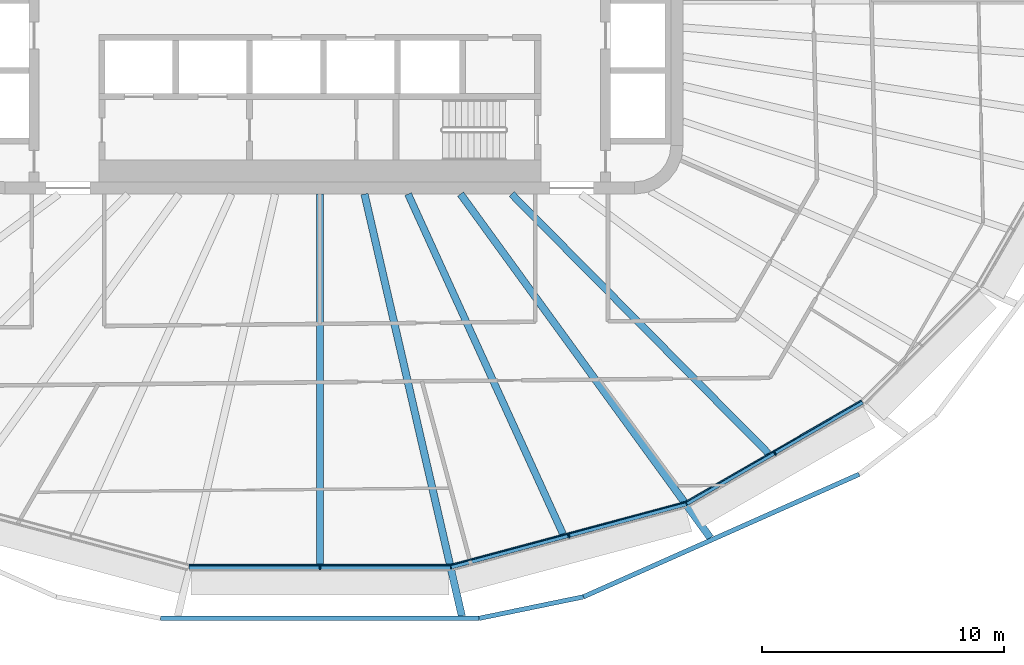
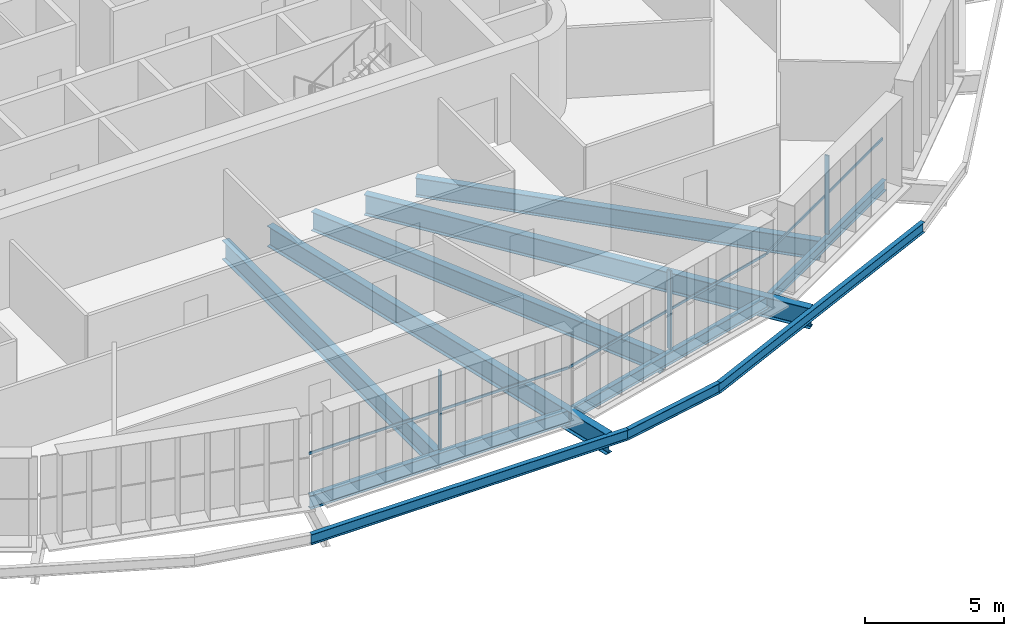
# One storey, part 3 of 23: 11 beams, 6 members, 3 elements without a shape of their own.
"""IFC4 building model written with IfcOpenShell, lengths in metres."""

from ifc_helpers import new_model, si_unit, direction, frame, origin, origin_2d, place, context, subcontext, project, spatial, rectangle, i_section, extrude, material, layer, layer_set, material_profile, profile_set, type_object, element, aggregate, save


model = new_model("IFC4")

# Units and contexts
model_context = context("Model", 3, precision=1e-05, world=origin(), true_north=direction((0.0, 1.0)))
body_context = subcontext(model_context, "Body", "Model", "MODEL_VIEW")
ifc_project = project(units=[si_unit("LENGTHUNIT", "METRE"), si_unit("AREAUNIT", "SQUARE_METRE"), si_unit("VOLUMEUNIT", "CUBIC_METRE"), si_unit("PLANEANGLEUNIT", "RADIAN"), si_unit("MASSUNIT", "GRAM", prefix="KILO")], contexts=[model_context])

# Site, building, storey
site_placement = place(None, origin())
site = spatial("IfcSite", under=ifc_project, at=site_placement, CompositionType="ELEMENT")
building_placement = place(site_placement, origin())
building = spatial("IfcBuilding", under=site, at=building_placement, Name="Sahrelin Media Tower", CompositionType="ELEMENT")
storey_placement = place(building_placement, frame((0.0, 0.0, 161.60009765625)))
storey = spatial("IfcBuildingStorey", under=building, at=storey_placement, Name="L33", CompositionType="ELEMENT", Elevation=161.60009765625)

# Beams
ifc_material_1 = material(Name="Steel S355", Category="steel")
ifc_material_profile_1 = material_profile(ifc_material_1, i_section(OverallWidth=0.1904296875, OverallDepth=0.45703125, WebThickness=0.009033203125, FlangeThickness=0.014404296875, FilletRadius=0.01025390625, at=origin_2d()), Name="UB 457x191x74")
ifc_profile_set_1 = profile_set([ifc_material_profile_1], Name="Steel S355")
beam_type_1 = type_object("IfcBeamType", Name="Edge beam EB5", PredefinedType="BEAM", material=ifc_profile_set_1)
beam_1_placement = place(storey_placement, frame((22.401123046875, -16.58203125, -0.378662109375), z_axis=(-0.866019985848, -0.500009384024, 0.0), x_axis=(0.500009384024, -0.866019985848, 0.0)))
element("IfcBeam", 1, at=beam_1_placement, inside=storey, type_object=beam_type_1, Name="Edge beam L33-05", PredefinedType="BEAM", context=body_context, shape_type="SweptSolid", body=[
    extrude(i_section(OverallWidth=0.1904296875, OverallDepth=0.45703125, WebThickness=0.009033203125, FlangeThickness=0.014404296875, FilletRadius=0.01025390625, at=origin_2d()), origin(), (0.0, 0.0, 1.0), 8.371826171875),
])
ifc_material_profile_2 = material_profile(ifc_material_1, i_section(OverallWidth=0.208740234375, OverallDepth=0.5283203125, WebThickness=0.009521484375, FlangeThickness=0.01318359375, FilletRadius=0.0126953125, at=origin_2d()), Name="UB 533x210x82")
ifc_profile_set_2 = profile_set([ifc_material_profile_2], Name="Steel S355")
beam_type_2 = type_object("IfcBeamType", Name="Edge beam EB6", PredefinedType="BEAM", material=ifc_profile_set_2)
beam_2_placement = place(storey_placement, frame((15.124267578125, -20.779052734375, -0.414306640625), z_axis=(-0.965924398273, -0.258824374473, 0.0), x_axis=(0.258824374473, -0.965924398273, 0.0)))
element("IfcBeam", 2, at=beam_2_placement, inside=storey, type_object=beam_type_2, Name="Edge beam L33-06", PredefinedType="BEAM", context=body_context, shape_type="SweptSolid", body=[
    extrude(i_section(OverallWidth=0.208740234375, OverallDepth=0.5283203125, WebThickness=0.009521484375, FlangeThickness=0.01318359375, FilletRadius=0.0126953125, at=origin_2d()), origin(), (0.0, 0.0, 1.0), 10.0439453125),
])
ifc_material_profile_3 = material_profile(ifc_material_1, i_section(OverallWidth=0.2275390625, OverallDepth=0.6025390625, WebThickness=0.010498046875, FlangeThickness=0.014892578125, FilletRadius=0.0126953125, at=origin_2d()), Name="UB 610x229x101")
ifc_profile_set_3 = profile_set([ifc_material_profile_3], Name="Steel S355")
beam_type_3 = type_object("IfcBeamType", Name="Edge beam EB7", PredefinedType="BEAM", material=ifc_profile_set_3)
beam_3_placement = place(storey_placement, frame((5.393798828125, -23.38232421875, -0.451416015625), z_axis=(-1.0, 0.0, 0.0), x_axis=(0.0, -1.0, 0.0)))
element("IfcBeam", 3, at=beam_3_placement, inside=storey, type_object=beam_type_3, Name="Edge beam L33-07", PredefinedType="BEAM", context=body_context, shape_type="SweptSolid", body=[
    extrude(i_section(OverallWidth=0.2275390625, OverallDepth=0.6025390625, WebThickness=0.010498046875, FlangeThickness=0.014892578125, FilletRadius=0.0126953125, at=origin_2d()), origin(), (0.0, 0.0, 1.0), 10.78759765625),
])

# Curtain wall, member
ifc_material_2 = material(Name="Champagne anodised aluminium 6063-T6", Category="aluminium")
ifc_layer = layer(ifc_material_2, 0.14990234375)
ifc_layer_set = layer_set([ifc_layer], Name="Tower ribbon curtain wall")
curtain_wall_type = type_object("IfcCurtainWallType", Name="Tower ribbon curtain wall", PredefinedType="NOTDEFINED", material=ifc_layer_set)
curtain_wall_1_placement = place(storey_placement, frame((0.0, -23.532470703125, 0.0), z_axis=(0.0, 0.0, 1.0), x_axis=(1.0, 0.0, 0.0)))
curtain_wall_1 = element("IfcCurtainWall", 4, at=curtain_wall_1_placement, inside=storey, type_object=curtain_wall_type, Name="L33:CW:L33-18", PredefinedType="NOTDEFINED")
ifc_material_profile_4 = material_profile(ifc_material_2, rectangle(XDim=0.06005859375, YDim=0.175048828125, at=origin_2d()), Name="Mullion 60x175")
ifc_profile_set_4 = profile_set([ifc_material_profile_4], Name="Champagne anodised aluminium 6063-T6")
member_type_1 = type_object("IfcMemberType", Name="Mullion 60x175 CW1B", PredefinedType="MULLION", material=ifc_profile_set_4)
member_1_placement = place(storey_placement, frame((0.0, -23.4248046875, 0.0), z_axis=(0.0, 0.0, 1.0), x_axis=(1.0, 0.0, 0.0)))
member_1 = element("IfcMember", 5, at=member_1_placement, type_object=member_type_1, Name="L33:CWM:L33-18", PredefinedType="MULLION", context=body_context, shape_type="SweptSolid", body=[
    extrude(rectangle(XDim=0.06005859375, YDim=0.175048828125, at=origin_2d()), origin(), (0.0, 0.0, 1.0), 3.448486328125),
])

curtain_wall_2_placement = place(storey_placement, frame((10.312255859375, -22.2236328125, 0.0), z_axis=(0.0, 0.0, 1.0), x_axis=(1.0, 0.0, 0.0)))
curtain_wall_2 = element("IfcCurtainWall", 6, at=curtain_wall_2_placement, inside=storey, type_object=curtain_wall_type, Name="L33:CW:L33-19", PredefinedType="NOTDEFINED")
member_2_placement = place(storey_placement, frame((10.284423828125, -22.119873046875, 0.0), z_axis=(0.0, 0.0, 1.0), x_axis=(0.965926729732, 0.258815673384, 0.0)))
member_2 = element("IfcMember", 7, at=member_2_placement, type_object=member_type_1, Name="L33:CWM:L33-19", PredefinedType="MULLION", context=body_context, shape_type="SweptSolid", body=[
    extrude(rectangle(XDim=0.06005859375, YDim=0.175048828125, at=origin_2d()), origin(), (0.0, 0.0, 1.0), 3.448486328125),
])

curtain_wall_3_placement = place(storey_placement, frame((18.85107421875, -18.804931640625, 0.0), z_axis=(0.0, 0.0, 1.0), x_axis=(1.0, 0.0, 0.0)))
curtain_wall_3 = element("IfcCurtainWall", 8, at=curtain_wall_3_placement, inside=storey, type_object=curtain_wall_type, Name="L33:CW:L33-20", PredefinedType="NOTDEFINED")
member_3_placement = place(storey_placement, frame((18.797119140625, -18.7119140625, 0.0), z_axis=(0.0, 0.0, 1.0), x_axis=(0.866025403784, 0.5, 0.0)))
member_3 = element("IfcMember", 9, at=member_3_placement, type_object=member_type_1, Name="L33:CWM:L33-20", PredefinedType="MULLION", context=body_context, shape_type="SweptSolid", body=[
    extrude(rectangle(XDim=0.06005859375, YDim=0.175048828125, at=origin_2d()), origin(), (0.0, 0.0, 1.0), 3.448486328125),
])

# Beams
ifc_material_profile_5 = material_profile(ifc_material_1, i_section(OverallWidth=0.30322265625, OverallDepth=0.903076171875, WebThickness=0.01513671875, FlangeThickness=0.020263671875, FilletRadius=0.01904296875, at=origin_2d()), Name="UB 914x305x201")
ifc_profile_set_5 = profile_set([ifc_material_profile_5], Name="Steel S355")
beam_type_4 = type_object("IfcBeamType", Name="Radial primary beam PB11", PredefinedType="BEAM", material=ifc_profile_set_5)
beam_4_placement = place(storey_placement, frame((1.845458984375, -8.0, -0.6015625), z_axis=(0.224765776998, -0.974412820878, 0.0), x_axis=(0.974412820878, 0.224765776998, 0.0)))
element("IfcBeam", 10, at=beam_4_placement, inside=storey, type_object=beam_type_4, Name="Radial beam L33-19", PredefinedType="BEAM", context=body_context, shape_type="SweptSolid", body=[
    extrude(i_section(OverallWidth=0.30322265625, OverallDepth=0.903076171875, WebThickness=0.01513671875, FlangeThickness=0.020263671875, FilletRadius=0.01904296875, at=origin_2d()), origin(), (0.0, 0.0, 1.0), 17.882080078125),
])
beam_5_placement = place(storey_placement, frame((5.8125, -8.0, -0.6015625), z_axis=(0.587799384359, -0.809006726639, 0.0), x_axis=(0.809006726639, 0.587799384359, 0.0)))
element("IfcBeam", 11, at=beam_5_placement, inside=storey, type_object=beam_type_4, Name="Radial beam L33-20", PredefinedType="BEAM", context=body_context, shape_type="SweptSolid", body=[
    extrude(i_section(OverallWidth=0.30322265625, OverallDepth=0.903076171875, WebThickness=0.01513671875, FlangeThickness=0.020263671875, FilletRadius=0.01904296875, at=origin_2d()), origin(), (0.0, 0.0, 1.0), 17.54833984375),
])
ifc_material_profile_6 = material_profile(ifc_material_1, i_section(OverallWidth=0.291748046875, OverallDepth=0.8349609375, WebThickness=0.013916015625, FlangeThickness=0.018798828125, FilletRadius=0.017822265625, at=origin_2d()), Name="UB 838x292x176")
ifc_profile_set_6 = profile_set([ifc_material_profile_6], Name="Steel S355")
beam_type_5 = type_object("IfcBeamType", Name="Radial secondary beam SB10", PredefinedType="BEAM", material=ifc_profile_set_6)
beam_6_placement = place(storey_placement, frame((0.0, -8.0, -0.567626953125), z_axis=(0.0, -1.0, 0.0), x_axis=(1.0, 0.0, 0.0)))
element("IfcBeam", 12, at=beam_6_placement, inside=storey, type_object=beam_type_5, Name="Secondary beam L33-18", PredefinedType="BEAM", context=body_context, shape_type="SweptSolid", body=[
    extrude(i_section(OverallWidth=0.291748046875, OverallDepth=0.8349609375, WebThickness=0.013916015625, FlangeThickness=0.018798828125, FilletRadius=0.017822265625, at=origin_2d()), origin(), (0.0, 0.0, 1.0), 15.2685546875),
])
beam_7_placement = place(storey_placement, frame((3.64501953125, -8.0, -0.567626953125), z_axis=(0.414613847662, -0.909997449077, 0.0), x_axis=(0.909997449077, 0.414613847662, 0.0)))
element("IfcBeam", 13, at=beam_7_placement, inside=storey, type_object=beam_type_5, Name="Secondary beam L33-19", PredefinedType="BEAM", context=body_context, shape_type="SweptSolid", body=[
    extrude(i_section(OverallWidth=0.291748046875, OverallDepth=0.8349609375, WebThickness=0.013916015625, FlangeThickness=0.018798828125, FilletRadius=0.017822265625, at=origin_2d()), origin(), (0.0, 0.0, 1.0), 15.421630859375),
])
beam_8_placement = place(storey_placement, frame((7.921142578125, -8.0, -0.567626953125), z_axis=(0.703599162107, -0.710597086317, 0.0), x_axis=(0.710597086317, 0.703599162107, 0.0)))
element("IfcBeam", 14, at=beam_8_placement, inside=storey, type_object=beam_type_5, Name="Secondary beam L33-20", PredefinedType="BEAM", context=body_context, shape_type="SweptSolid", body=[
    extrude(i_section(OverallWidth=0.291748046875, OverallDepth=0.8349609375, WebThickness=0.013916015625, FlangeThickness=0.018798828125, FilletRadius=0.017822265625, at=origin_2d()), origin(), (0.0, 0.0, 1.0), 15.071533203125),
])
ifc_material_profile_7 = material_profile(ifc_material_1, i_section(OverallWidth=0.1904296875, OverallDepth=0.45703125, WebThickness=0.009033203125, FlangeThickness=0.014404296875, FilletRadius=0.01025390625, at=origin_2d()), Name="UB 457x191x74")
ifc_profile_set_7 = profile_set([ifc_material_profile_7], Name="Steel S355")
beam_type_6 = type_object("IfcBeamType", Name="Tie chord TC5", PredefinedType="BEAM", material=ifc_profile_set_7)
beam_9_placement = place(storey_placement, frame((-6.576171875, -25.519775390625, -0.378662109375), z_axis=(1.0, 0.0, 0.0), x_axis=(0.0, 1.0, 0.0)))
element("IfcBeam", 15, at=beam_9_placement, inside=storey, type_object=beam_type_6, Name="Tie chord L33-18", PredefinedType="BEAM", context=body_context, shape_type="SweptSolid", body=[
    extrude(i_section(OverallWidth=0.1904296875, OverallDepth=0.45703125, WebThickness=0.009033203125, FlangeThickness=0.014404296875, FilletRadius=0.01025390625, at=origin_2d()), origin(), (0.0, 0.0, 1.0), 13.15234375),
])
beam_10_placement = place(storey_placement, frame((6.576171875, -25.519775390625, -0.378662109375), z_axis=(0.979388611009, 0.201985020796, 0.0), x_axis=(-0.201985020796, 0.979388611009, 0.0)))
element("IfcBeam", 16, at=beam_10_placement, inside=storey, type_object=beam_type_6, Name="Tie chord L33-19", PredefinedType="BEAM", context=body_context, shape_type="SweptSolid", body=[
    extrude(i_section(OverallWidth=0.1904296875, OverallDepth=0.45703125, WebThickness=0.009033203125, FlangeThickness=0.014404296875, FilletRadius=0.01025390625, at=origin_2d()), origin(), (0.0, 0.0, 1.0), 4.397216796875),
])
beam_11_placement = place(storey_placement, frame((10.8828125, -24.631591796875, -0.378662109375), z_axis=(0.913823664299, 0.40611120468, 0.0), x_axis=(-0.40611120468, 0.913823664299, 0.0)))
element("IfcBeam", 17, at=beam_11_placement, inside=storey, type_object=beam_type_6, Name="Tie chord L33-20", PredefinedType="BEAM", context=body_context, shape_type="SweptSolid", body=[
    extrude(i_section(OverallWidth=0.1904296875, OverallDepth=0.45703125, WebThickness=0.009033203125, FlangeThickness=0.014404296875, FilletRadius=0.01025390625, at=origin_2d()), origin(), (0.0, 0.0, 1.0), 12.464111328125),
])

# Member
ifc_material_profile_8 = material_profile(ifc_material_2, rectangle(XDim=0.050048828125, YDim=0.110107421875, at=origin_2d()), Name="Transom 50x110")
ifc_profile_set_8 = profile_set([ifc_material_profile_8], Name="Champagne anodised aluminium 6063-T6")
member_type_2 = type_object("IfcMemberType", Name="Transom 50x110 CW1B", PredefinedType="USERDEFINED", material=ifc_profile_set_8)
member_4_placement = place(storey_placement, frame((-5.378173828125, -23.3125, 1.599853515625), z_axis=(1.0, 0.0, 0.0), x_axis=(0.0, 1.0, 0.0)))
member_4 = element("IfcMember", 18, at=member_4_placement, type_object=member_type_2, Name="L33:CWT:L33-18", ObjectType="TRANSOM", PredefinedType="USERDEFINED", context=body_context, shape_type="SweptSolid", body=[
    extrude(rectangle(XDim=0.050048828125, YDim=0.110107421875, at=origin_2d()), origin(), (0.0, 0.0, 1.0), 10.75634765625),
])

aggregate(curtain_wall_1, [member_1, member_4])

member_5_placement = place(storey_placement, frame((5.419677734375, -23.306884765625, 1.599853515625), z_axis=(0.965929113775, 0.258806775726, 0.0), x_axis=(-0.258806775726, 0.965929113775, 0.0)))
member_5 = element("IfcMember", 19, at=member_5_placement, type_object=member_type_2, Name="L33:CWT:L33-19", ObjectType="TRANSOM", PredefinedType="USERDEFINED", context=body_context, shape_type="SweptSolid", body=[
    extrude(rectangle(XDim=0.050048828125, YDim=0.110107421875, at=origin_2d()), origin(), (0.0, 0.0, 1.0), 10.012451171875),
])

aggregate(curtain_wall_2, [member_2, member_5])

member_6_placement = place(storey_placement, frame((15.12939453125, -20.69970703125, 1.599853515625), z_axis=(0.866018876994, 0.500011304563, 0.0), x_axis=(-0.500011304563, 0.866018876994, 0.0)))
member_6 = element("IfcMember", 20, at=member_6_placement, type_object=member_type_2, Name="L33:CWT:L33-20", ObjectType="TRANSOM", PredefinedType="USERDEFINED", context=body_context, shape_type="SweptSolid", body=[
    extrude(rectangle(XDim=0.050048828125, YDim=0.110107421875, at=origin_2d()), origin(), (0.0, 0.0, 1.0), 8.340576171875),
])

aggregate(curtain_wall_3, [member_3, member_6])

save(model, "model.ifc")
